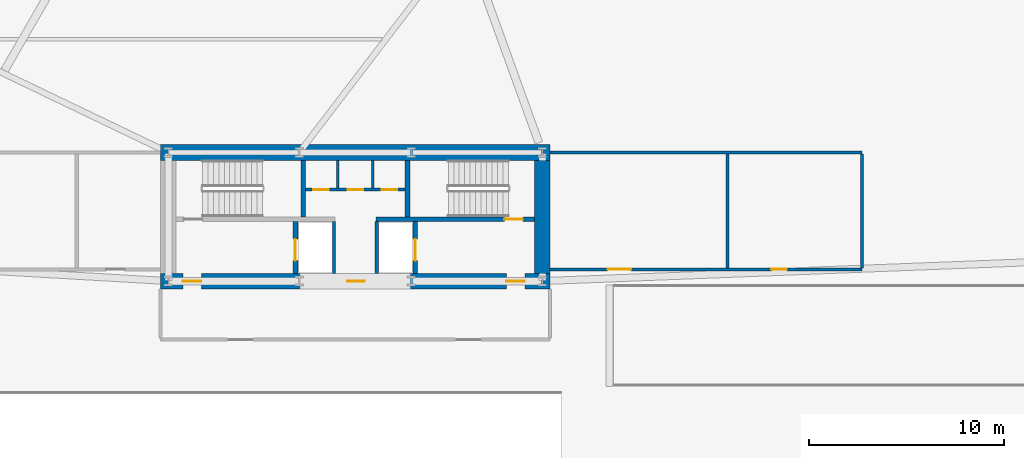
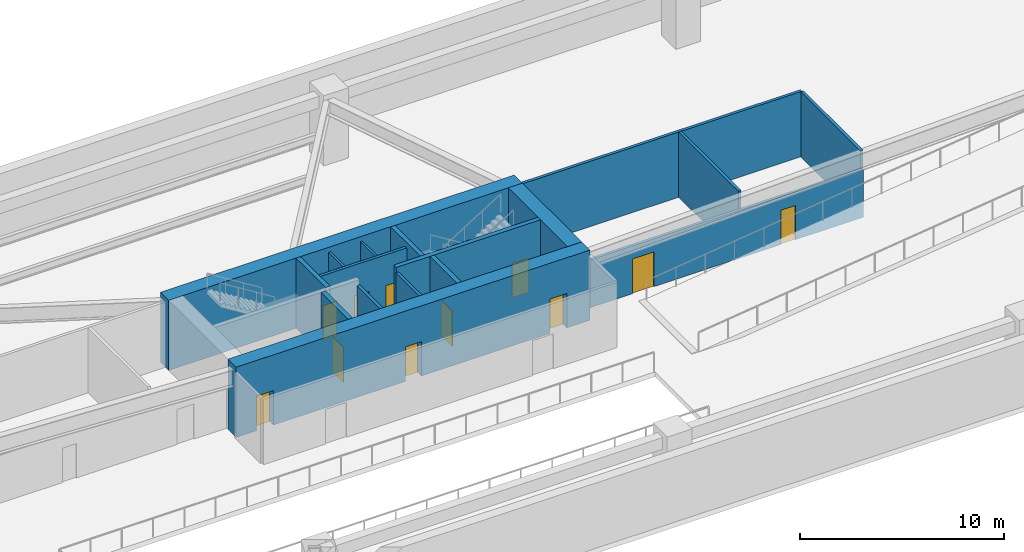
# One storey, part 4 of 7: 17 walls, 11 doors, 11 openings.
"""IFC4 building model written with IfcOpenShell, lengths in metres."""

from ifc_helpers import new_model, si_unit, direction, frame, frame_2d, origin, place, context, subcontext, project, spatial, rectangle, extrude, source, transform, mapped, material, layer, layer_set, type_object, type_shapes, element, fill, save


model = new_model("IFC4")

# Units and contexts
model_context = context("Model", 3, precision=1e-05, world=origin(), true_north=direction((0.0, 1.0)))
body_context = subcontext(model_context, "Body", "Model", "MODEL_VIEW")
ifc_project = project(units=[si_unit("LENGTHUNIT", "METRE"), si_unit("AREAUNIT", "SQUARE_METRE"), si_unit("VOLUMEUNIT", "CUBIC_METRE"), si_unit("PLANEANGLEUNIT", "RADIAN"), si_unit("MASSUNIT", "GRAM", prefix="KILO")], contexts=[model_context])

# Site, building, storey
site_placement = place(None, origin())
site = spatial("IfcSite", under=ifc_project, at=site_placement, CompositionType="ELEMENT")
building_placement = place(site_placement, origin())
building = spatial("IfcBuilding", under=site, at=building_placement, Name="Astriad Promenade Condominiums", CompositionType="ELEMENT")
storey_placement = place(building_placement, frame((0.0, 0.0, -4.199951171875)))
storey = spatial("IfcBuildingStorey", under=building, at=storey_placement, Name="B01", CompositionType="ELEMENT", Elevation=-4.199951171875)

# Wall, openings, doors
ifc_material_1 = material(Name="Concrete C80/95", Category="concrete")
ifc_layer_1 = layer(ifc_material_1, 0.800048828125)
ifc_layer_set_1 = layer_set([ifc_layer_1], Name="Concrete C80/95")
wall_type_1 = type_object("IfcWallType", Name="CW-SHEAR-800", PredefinedType="SHEAR", material=ifc_layer_set_1)
wall_1_placement = place(storey_placement, frame((26.0, 17.39990234375, 0.0), z_axis=(0.0, 0.0, 1.0), x_axis=(1.0, 0.0, 0.0)))
wall_1 = element("IfcWall", 1, at=wall_1_placement, inside=storey, type_object=wall_type_1, Name="CW-CORE-S-B01", PredefinedType="SHEAR", context=body_context, shape_type="SweptSolid", body=[
    extrude(rectangle(XDim=20.0, YDim=0.800048828125, at=frame_2d((10.0, 0.0))), origin(), (0.0, 0.0, 1.0), 4.199951171875),
])
opening_1_placement = place(wall_1_placement, frame((1.14990234375, 0.0, 0.0)))
opening_1 = element("IfcOpeningElement", 2, at=opening_1_placement, cuts=wall_1, Name="Opening FD90-ST-095", PredefinedType="OPENING", context=body_context, shape_type="SweptSolid", body=[
    extrude(rectangle(XDim=0.949951171875, YDim=2.06005859375, at=frame_2d((0.47509765625, 1.030029296875))), frame((0.0, 0.409912109375, 0.0), z_axis=(0.0, -1.0, 0.0), x_axis=(1.0, 0.0, 0.0)), (0.0, 0.0, 1.0), 0.820068359375),
])
opening_2_placement = place(wall_1_placement, frame((9.580078125, 0.0, 0.0)))
opening_2 = element("IfcOpeningElement", 3, at=opening_2_placement, cuts=wall_1, Name="Opening FD60-CSL-090", PredefinedType="OPENING", context=body_context, shape_type="SweptSolid", body=[
    extrude(rectangle(XDim=0.89990234375, YDim=2.06005859375, at=frame_2d((0.449951171875, 1.030029296875))), frame((0.0, 0.409912109375, 0.0), z_axis=(0.0, -1.0, 0.0), x_axis=(1.0, 0.0, 0.0)), (0.0, 0.0, 1.0), 0.820068359375),
])
opening_3_placement = place(wall_1_placement, frame((17.75, 0.0, 0.0)))
opening_3 = element("IfcOpeningElement", 4, at=opening_3_placement, cuts=wall_1, Name="Opening FD90-ST-095", PredefinedType="OPENING", context=body_context, shape_type="SweptSolid", body=[
    extrude(rectangle(XDim=0.949951171875, YDim=2.06005859375, at=frame_2d((0.47509765625, 1.030029296875))), frame((0.0, 0.409912109375, 0.0), z_axis=(0.0, -1.0, 0.0), x_axis=(1.0, 0.0, 0.0)), (0.0, 0.0, 1.0), 0.820068359375),
])
ifc_material_2 = material(Name="Fire-Rated Hollow Metal Stair Door")
door_type_1 = type_object("IfcDoorType", Name="FD90-ST-095", OperationType="NOTDEFINED", PredefinedType="DOOR", material=ifc_material_2)
shared_shape_1 = source(origin(), body_context, "Body", "SweptSolid", [
    extrude(rectangle(XDim=0.949951171875, YDim=2.06005859375, at=frame_2d((0.47509765625, 1.030029296875))), frame((0.0, 0.02490234375, 0.0), z_axis=(0.0, -1.0, 0.0), x_axis=(1.0, 0.0, 0.0)), (0.0, 0.0, 1.0), 0.050048828125),
])
type_shapes(door_type_1, [shared_shape_1])
door_1_placement = place(opening_1_placement, origin())
door_1 = element("IfcDoor", 5, at=door_1_placement, inside=storey, type_object=door_type_1, Name="D-FFW-B01", OperationType="SINGLE_SWING_LEFT", OverallHeight=2.06005859375, OverallWidth=0.949951171875, PredefinedType="DOOR", context=body_context, shape_type="MappedRepresentation", body=[
    mapped(shared_shape_1, transform((0.0, 0.0, 0.0), scale=1.0)),
])
fill(opening_1, door_1)
door_2_placement = place(opening_3_placement, origin())
door_2 = element("IfcDoor", 6, at=door_2_placement, inside=storey, type_object=door_type_1, Name="D-FFE-B01", OperationType="SINGLE_SWING_RIGHT", OverallHeight=2.06005859375, OverallWidth=0.949951171875, PredefinedType="DOOR", context=body_context, shape_type="MappedRepresentation", body=[
    mapped(shared_shape_1, transform((0.0, 0.0, 0.0), scale=1.0)),
])
fill(opening_3, door_2)
ifc_material_3 = material(Name="Fire-Rated Service Lobby Door")
door_type_2 = type_object("IfcDoorType", Name="FD60-CSL-090", OperationType="NOTDEFINED", PredefinedType="DOOR", material=ifc_material_3)
shared_shape_2 = source(origin(), body_context, "Body", "SweptSolid", [
    extrude(rectangle(XDim=0.89990234375, YDim=2.06005859375, at=frame_2d((0.449951171875, 1.030029296875))), frame((0.0, 0.02490234375, 0.0), z_axis=(0.0, -1.0, 0.0), x_axis=(1.0, 0.0, 0.0)), (0.0, 0.0, 1.0), 0.050048828125),
])
type_shapes(door_type_2, [shared_shape_2])
door_3_placement = place(opening_2_placement, origin())
door_3 = element("IfcDoor", 7, at=door_3_placement, inside=storey, type_object=door_type_2, Name="D-CSL-B01", OperationType="SINGLE_SWING_RIGHT", OverallHeight=2.06005859375, OverallWidth=0.89990234375, PredefinedType="DOOR", context=body_context, shape_type="MappedRepresentation", body=[
    mapped(shared_shape_2, transform((0.0, 0.0, 0.0), scale=1.0)),
])
fill(opening_2, door_3)

# Walls
wall_2_placement = place(storey_placement, frame((26.0, 24.0, 0.0), z_axis=(0.0, 0.0, 1.0), x_axis=(1.0, 0.0, 0.0)))
element("IfcWall", 8, at=wall_2_placement, inside=storey, type_object=wall_type_1, Name="CW-CORE-N-B01", PredefinedType="SHEAR", context=body_context, shape_type="SweptSolid", body=[
    extrude(rectangle(XDim=20.0, YDim=0.800048828125, at=frame_2d((10.0, 0.0))), origin(), (0.0, 0.0, 1.0), 4.199951171875),
])
wall_3_placement = place(storey_placement, frame((45.60009765625, 17.802001953125, 0.0), z_axis=(0.0, 0.0, 1.0), x_axis=(0.0, 1.0, 0.0)))
element("IfcWall", 9, at=wall_3_placement, inside=storey, type_object=wall_type_1, Name="CW-CORE-E-B01", PredefinedType="SHEAR", context=body_context, shape_type="SweptSolid", body=[
    extrude(rectangle(XDim=5.7958984375, YDim=0.800048828125, at=frame_2d((2.89794921875, 0.0))), origin(), (0.0, 0.0, 1.0), 4.199951171875),
])

# Wall, opening, door
ifc_material_4 = material(Name="Concrete C50/60", Category="concrete")
ifc_layer_2 = layer(ifc_material_4, 0.25)
ifc_layer_set_2 = layer_set([ifc_layer_2], Name="Concrete C50/60")
wall_type_2 = type_object("IfcWallType", Name="WALL-CORE-INT-250", PredefinedType="SOLIDWALL", material=ifc_layer_set_2)
wall_4_placement = place(storey_placement, frame((37.050048828125, 20.574951171875, 0.0), z_axis=(0.0, 0.0, 1.0), x_axis=(1.0, 0.0, 0.0)))
wall_4 = element("IfcWall", 10, at=wall_4_placement, inside=storey, type_object=wall_type_2, Name="CW-INT-H2-B01", PredefinedType="SOLIDWALL", context=body_context, shape_type="SweptSolid", body=[
    extrude(rectangle(XDim=8.14794921875, YDim=0.25, at=frame_2d((4.073974609375, 0.0))), origin(), (0.0, 0.0, 1.0), 4.199951171875),
])
opening_4_placement = place(wall_4_placement, frame((6.60009765625, 0.0, 0.0)))
opening_4 = element("IfcOpeningElement", 11, at=opening_4_placement, cuts=wall_4, Name="Opening FD90-ST-095", PredefinedType="OPENING", context=body_context, shape_type="SweptSolid", body=[
    extrude(rectangle(XDim=0.949951171875, YDim=2.06005859375, at=frame_2d((0.47509765625, 1.030029296875))), frame((0.0, 0.135009765625, 0.0), z_axis=(0.0, -1.0, 0.0), x_axis=(1.0, 0.0, 0.0)), (0.0, 0.0, 1.0), 0.27001953125),
])
door_4_placement = place(opening_4_placement, origin())
door_4 = element("IfcDoor", 12, at=door_4_placement, inside=storey, type_object=door_type_1, Name="D-ST2-B01", OperationType="SINGLE_SWING_LEFT", OverallHeight=2.06005859375, OverallWidth=0.949951171875, PredefinedType="DOOR", context=body_context, shape_type="MappedRepresentation", body=[
    mapped(shared_shape_1, transform((0.0, 0.0, 0.0), scale=1.0)),
])
fill(opening_4, door_4)

# Walls
for number, where, z_axis, x_axis, name in (
    (13, (33.324951171875, 20.701904296875, 0.0), (0.0, 0.0, 1.0), (0.0, 1.0, 0.0), "CW-ST1-E-B01"),
    (14, (38.675048828125, 20.701904296875, 0.0), (0.0, 0.0, 1.0), (0.0, 1.0, 0.0), "CW-ST2-W-B01"),
):
    element("IfcWall", number, at=place(storey_placement, frame(where, z_axis=z_axis, x_axis=x_axis)), inside=storey, type_object=wall_type_2, Name=name, PredefinedType="SOLIDWALL", context=body_context, shape_type="SweptSolid", body=[
        extrude(rectangle(XDim=2.89599609375, YDim=0.25, at=frame_2d((1.447998046875, 0.0))), origin(), (0.0, 0.0, 1.0), 4.199951171875),
    ])

# Wall, opening, door
wall_5_placement = place(storey_placement, frame((32.925048828125, 17.802001953125, 0.0), z_axis=(0.0, 0.0, 1.0), x_axis=(0.0, 1.0, 0.0)))
wall_5 = element("IfcWall", 15, at=wall_5_placement, inside=storey, type_object=wall_type_2, Name="CW-FFL1-W-B01", PredefinedType="SOLIDWALL", context=body_context, shape_type="SweptSolid", body=[
    extrude(rectangle(XDim=2.64599609375, YDim=0.25, at=frame_2d((1.322998046875, 0.0))), origin(), (0.0, 0.0, 1.0), 4.199951171875),
])
opening_5_placement = place(wall_5_placement, frame((0.64794921875, 0.0, 0.0)))
opening_5 = element("IfcOpeningElement", 16, at=opening_5_placement, cuts=wall_5, Name="Opening LD-FFL-1122", PredefinedType="OPENING", context=body_context, shape_type="SweptSolid", body=[
    extrude(rectangle(XDim=1.10009765625, YDim=2.080078125, at=frame_2d((0.550048828125, 1.0400390625))), frame((0.0, 0.135009765625, 0.0), z_axis=(0.0, -1.0, 0.0), x_axis=(1.0, 0.0, 0.0)), (0.0, 0.0, 1.0), 0.27001953125),
])
ifc_material_5 = material(Name="Brushed Stainless Steel Fire Elevator Landing Door", Category="steel")
door_type_3 = type_object("IfcDoorType", Name="LD-FFL-1122", OperationType="NOTDEFINED", PredefinedType="DOOR", material=ifc_material_5)
shared_shape_3 = source(origin(), body_context, "Body", "SweptSolid", [
    extrude(rectangle(XDim=1.10009765625, YDim=2.080078125, at=frame_2d((0.550048828125, 1.0400390625))), frame((0.0, 0.02490234375, 0.0), z_axis=(0.0, -1.0, 0.0), x_axis=(1.0, 0.0, 0.0)), (0.0, 0.0, 1.0), 0.050048828125),
])
type_shapes(door_type_3, [shared_shape_3])
door_5_placement = place(opening_5_placement, origin())
door_5 = element("IfcDoor", 17, at=door_5_placement, inside=storey, type_object=door_type_3, Name="Elevator Landing Door FFL-1 (B01)", OperationType="SLIDING_TO_LEFT", OverallHeight=2.080078125, OverallWidth=1.10009765625, PredefinedType="DOOR", context=body_context, shape_type="MappedRepresentation", body=[
    mapped(shared_shape_3, transform((0.0, 0.0, 0.0), scale=1.0)),
])
fill(opening_5, door_5)

wall_6_placement = place(storey_placement, frame((39.074951171875, 17.802001953125, 0.0), z_axis=(0.0, 0.0, 1.0), x_axis=(0.0, 1.0, 0.0)))
wall_6 = element("IfcWall", 18, at=wall_6_placement, inside=storey, type_object=wall_type_2, Name="CW-FFL2-E-B01", PredefinedType="SOLIDWALL", context=body_context, shape_type="SweptSolid", body=[
    extrude(rectangle(XDim=2.64599609375, YDim=0.25, at=frame_2d((1.322998046875, 0.0))), origin(), (0.0, 0.0, 1.0), 4.199951171875),
])
opening_6_placement = place(wall_6_placement, frame((0.64794921875, 0.0, 0.0)))
opening_6 = element("IfcOpeningElement", 19, at=opening_6_placement, cuts=wall_6, Name="Opening LD-FFL-1122", PredefinedType="OPENING", context=body_context, shape_type="SweptSolid", body=[
    extrude(rectangle(XDim=1.10009765625, YDim=2.080078125, at=frame_2d((0.550048828125, 1.0400390625))), frame((0.0, 0.135009765625, 0.0), z_axis=(0.0, -1.0, 0.0), x_axis=(1.0, 0.0, 0.0)), (0.0, 0.0, 1.0), 0.27001953125),
])
door_6_placement = place(opening_6_placement, origin())
door_6 = element("IfcDoor", 20, at=door_6_placement, inside=storey, type_object=door_type_3, Name="Elevator Landing Door FFL-2 (B01)", OperationType="SLIDING_TO_RIGHT", OverallHeight=2.080078125, OverallWidth=1.10009765625, PredefinedType="DOOR", context=body_context, shape_type="MappedRepresentation", body=[
    mapped(shared_shape_3, transform((0.0, 0.0, 0.0), scale=1.0)),
])
fill(opening_6, door_6)

# Walls
ifc_material_6 = material(Name="Fire-Rated Gypsum Partition")
ifc_layer_3 = layer(ifc_material_6, 0.159912109375)
ifc_layer_set_3 = layer_set([ifc_layer_3], Name="Fire-Rated Gypsum Partition")
wall_type_3 = type_object("IfcWallType", Name="WALL-CORR-160", PredefinedType="PARTITIONING", material=ifc_layer_set_3)
for number, where, z_axis, x_axis, name in (
    (21, (34.89990234375, 17.802001953125, 0.0), (0.0, 0.0, 1.0), (0.0, 1.0, 0.0), "CW-FFL1-E-B01"),
    (22, (37.10009765625, 17.802001953125, 0.0), (0.0, 0.0, 1.0), (0.0, 1.0, 0.0), "CW-FFL2-W-B01"),
):
    element("IfcWall", number, at=place(storey_placement, frame(where, z_axis=z_axis, x_axis=x_axis)), inside=storey, type_object=wall_type_3, Name=name, PredefinedType="PARTITIONING", context=body_context, shape_type="SweptSolid", body=[
        extrude(rectangle(XDim=2.64599609375, YDim=0.159912109375, at=frame_2d((1.322998046875, 0.0))), origin(), (0.0, 0.0, 1.0), 3.89990234375),
    ])

# Wall, openings, doors
wall_7_placement = place(storey_placement, frame((33.451904296875, 22.10009765625, 0.0), z_axis=(0.0, 0.0, 1.0), x_axis=(1.0, 0.0, 0.0)))
wall_7 = element("IfcWall", 23, at=wall_7_placement, inside=storey, type_object=wall_type_3, Name="CW-AUX-N-B01", PredefinedType="PARTITIONING", context=body_context, shape_type="SweptSolid", body=[
    extrude(rectangle(XDim=5.09619140625, YDim=0.159912109375, at=frame_2d((2.548095703125, 0.0))), origin(), (0.0, 0.0, 1.0), 3.89990234375),
])
opening_7_placement = place(wall_7_placement, frame((0.387939453125, 0.0, 0.0)))
opening_7 = element("IfcOpeningElement", 24, at=opening_7_placement, cuts=wall_7, Name="Opening FD60-SV-080", PredefinedType="OPENING", context=body_context, shape_type="SweptSolid", body=[
    extrude(rectangle(XDim=0.800048828125, YDim=2.050048828125, at=frame_2d((0.39990234375, 1.02490234375))), frame((0.0, 0.08984375, 0.0), z_axis=(0.0, -1.0, 0.0), x_axis=(1.0, 0.0, 0.0)), (0.0, 0.0, 1.0), 0.179931640625),
])
opening_8_placement = place(wall_7_placement, frame((2.14794921875, 0.0, 0.0)))
opening_8 = element("IfcOpeningElement", 25, at=opening_8_placement, cuts=wall_7, Name="Opening FD60-SV-080", PredefinedType="OPENING", context=body_context, shape_type="SweptSolid", body=[
    extrude(rectangle(XDim=0.800048828125, YDim=2.050048828125, at=frame_2d((0.39990234375, 1.02490234375))), frame((0.0, 0.08984375, 0.0), z_axis=(0.0, -1.0, 0.0), x_axis=(1.0, 0.0, 0.0)), (0.0, 0.0, 1.0), 0.179931640625),
])
opening_9_placement = place(wall_7_placement, frame((3.907958984375, 0.0, 0.0)))
opening_9 = element("IfcOpeningElement", 26, at=opening_9_placement, cuts=wall_7, Name="Opening FD60-SV-080", PredefinedType="OPENING", context=body_context, shape_type="SweptSolid", body=[
    extrude(rectangle(XDim=0.800048828125, YDim=2.050048828125, at=frame_2d((0.39990234375, 1.02490234375))), frame((0.0, 0.08984375, 0.0), z_axis=(0.0, -1.0, 0.0), x_axis=(1.0, 0.0, 0.0)), (0.0, 0.0, 1.0), 0.179931640625),
])
ifc_material_7 = material(Name="Fire-Rated Riser Closet Door")
door_type_4 = type_object("IfcDoorType", Name="FD60-SV-080", OperationType="NOTDEFINED", PredefinedType="DOOR", material=ifc_material_7)
shared_shape_4 = source(origin(), body_context, "Body", "SweptSolid", [
    extrude(rectangle(XDim=0.800048828125, YDim=2.050048828125, at=frame_2d((0.39990234375, 1.02490234375))), frame((0.0, 0.02490234375, 0.0), z_axis=(0.0, -1.0, 0.0), x_axis=(1.0, 0.0, 0.0)), (0.0, 0.0, 1.0), 0.050048828125),
])
type_shapes(door_type_4, [shared_shape_4])
door_7_placement = place(opening_7_placement, origin())
door_7 = element("IfcDoor", 27, at=door_7_placement, inside=storey, type_object=door_type_4, Name="D-AUX1-B01", OperationType="SINGLE_SWING_RIGHT", OverallHeight=2.050048828125, OverallWidth=0.800048828125, PredefinedType="DOOR", context=body_context, shape_type="MappedRepresentation", body=[
    mapped(shared_shape_4, transform((0.0, 0.0, 0.0), scale=1.0)),
])
fill(opening_7, door_7)
door_8_placement = place(opening_8_placement, origin())
door_8 = element("IfcDoor", 28, at=door_8_placement, inside=storey, type_object=door_type_4, Name="D-AUX2-B01", OperationType="SINGLE_SWING_LEFT", OverallHeight=2.050048828125, OverallWidth=0.800048828125, PredefinedType="DOOR", context=body_context, shape_type="MappedRepresentation", body=[
    mapped(shared_shape_4, transform((0.0, 0.0, 0.0), scale=1.0)),
])
fill(opening_8, door_8)
door_9_placement = place(opening_9_placement, origin())
door_9 = element("IfcDoor", 29, at=door_9_placement, inside=storey, type_object=door_type_4, Name="D-AUX3-B01", OperationType="SINGLE_SWING_RIGHT", OverallHeight=2.050048828125, OverallWidth=0.800048828125, PredefinedType="DOOR", context=body_context, shape_type="MappedRepresentation", body=[
    mapped(shared_shape_4, transform((0.0, 0.0, 0.0), scale=1.0)),
])
fill(opening_9, door_9)

wall_8_placement = place(storey_placement, frame((46.001953125, 18.0, 0.0), z_axis=(0.0, 0.0, 1.0), x_axis=(1.0, 0.0, 0.0)))
wall_8 = element("IfcWall", 30, at=wall_8_placement, inside=storey, type_object=wall_type_3, Name="PT-B01-PL-S", PredefinedType="PARTITIONING", context=body_context, shape_type="SweptSolid", body=[
    extrude(rectangle(XDim=15.998046875, YDim=0.159912109375, at=frame_2d((7.9990234375, 0.0))), origin(), (0.0, 0.0, 1.0), 2.856201171875),
])
opening_10_placement = place(wall_8_placement, frame((2.947998046875, 0.0, 0.0)))
opening_10 = element("IfcOpeningElement", 31, at=opening_10_placement, cuts=wall_8, Name="Opening FD90-PLT-1222", PredefinedType="OPENING", context=body_context, shape_type="SweptSolid", body=[
    extrude(rectangle(XDim=1.199951171875, YDim=2.080078125, at=frame_2d((0.60009765625, 1.0400390625))), frame((0.0, 0.08984375, 0.0), z_axis=(0.0, -1.0, 0.0), x_axis=(1.0, 0.0, 0.0)), (0.0, 0.0, 1.0), 0.179931640625),
])
opening_11_placement = place(wall_8_placement, frame((11.347900390625, 0.0, 0.0)))
opening_11 = element("IfcOpeningElement", 32, at=opening_11_placement, cuts=wall_8, Name="Opening FD60-SV-080", PredefinedType="OPENING", context=body_context, shape_type="SweptSolid", body=[
    extrude(rectangle(XDim=0.800048828125, YDim=2.050048828125, at=frame_2d((0.39990234375, 1.02490234375))), frame((0.0, 0.08984375, 0.0), z_axis=(0.0, -1.0, 0.0), x_axis=(1.0, 0.0, 0.0)), (0.0, 0.0, 1.0), 0.179931640625),
])
door_10_placement = place(opening_11_placement, origin())
door_10 = element("IfcDoor", 33, at=door_10_placement, inside=storey, type_object=door_type_4, Name="D-B01-PL2", OperationType="SINGLE_SWING_RIGHT", OverallHeight=2.050048828125, OverallWidth=0.800048828125, PredefinedType="DOOR", context=body_context, shape_type="MappedRepresentation", body=[
    mapped(shared_shape_4, transform((0.0, 0.0, 0.0), scale=1.0)),
])
fill(opening_11, door_10)
ifc_material_8 = material(Name="Fire-Rated Double-Insulated Plant Door")
door_type_5 = type_object("IfcDoorType", Name="FD90-PLT-1222", OperationType="NOTDEFINED", PredefinedType="DOOR", material=ifc_material_8)
shared_shape_5 = source(origin(), body_context, "Body", "SweptSolid", [
    extrude(rectangle(XDim=1.199951171875, YDim=2.080078125, at=frame_2d((0.60009765625, 1.0400390625))), frame((0.0, 0.02490234375, 0.0), z_axis=(0.0, -1.0, 0.0), x_axis=(1.0, 0.0, 0.0)), (0.0, 0.0, 1.0), 0.050048828125),
])
type_shapes(door_type_5, [shared_shape_5])
door_11_placement = place(opening_10_placement, origin())
door_11 = element("IfcDoor", 34, at=door_11_placement, inside=storey, type_object=door_type_5, Name="D-B01-PL1", OperationType="SINGLE_SWING_LEFT", OverallHeight=2.080078125, OverallWidth=1.199951171875, PredefinedType="DOOR", context=body_context, shape_type="MappedRepresentation", body=[
    mapped(shared_shape_5, transform((0.0, 0.0, 0.0), scale=1.0)),
])
fill(opening_10, door_11)

# Walls
wall_9_placement = place(storey_placement, frame((46.0, 24.0, 0.0), z_axis=(0.0, 0.0, 1.0), x_axis=(1.0, 0.0, 0.0)))
element("IfcWall", 35, at=wall_9_placement, inside=storey, type_object=wall_type_3, Name="PT-B01-PL-N", PredefinedType="PARTITIONING", context=body_context, shape_type="SweptSolid", body=[
    extrude(rectangle(XDim=16.0, YDim=0.159912109375, at=frame_2d((8.0, 0.0))), origin(), (0.0, 0.0, 1.0), 3.89990234375),
])
for number, where, z_axis, x_axis, name in (
    (36, (62.0, 18.08203125, 0.0), (0.0, 0.0, 1.0), (0.0, 1.0, 0.0), "PT-B01-PL-E"),
    (37, (55.10009765625, 18.08203125, 0.0), (0.0, 0.0, 1.0), (0.0, 1.0, 0.0), "PT-B01-PL-M"),
):
    element("IfcWall", number, at=place(storey_placement, frame(where, z_axis=z_axis, x_axis=x_axis)), inside=storey, type_object=wall_type_3, Name=name, PredefinedType="PARTITIONING", context=body_context, shape_type="SweptSolid", body=[
        extrude(rectangle(XDim=5.8359375, YDim=0.159912109375, at=frame_2d((2.91796875, 0.0))), origin(), (0.0, 0.0, 1.0), 3.89990234375),
    ])
ifc_material_9 = material(Name="Acoustic Metal-Stud Gypsum Partition")
ifc_layer_4 = layer(ifc_material_9, 0.1201171875)
ifc_layer_set_4 = layer_set([ifc_layer_4], Name="Acoustic Metal-Stud Gypsum Partition")
wall_type_4 = type_object("IfcWallType", Name="WALL-PART-120", PredefinedType="PARTITIONING", material=ifc_layer_set_4)
for number, where, z_axis, x_axis, name in (
    (38, (35.10009765625, 22.181884765625, 0.0), (0.0, 0.0, 1.0), (0.0, 1.0, 0.0), "CW-AUX-V1-B01"),
    (39, (36.89990234375, 22.181884765625, 0.0), (0.0, 0.0, 1.0), (0.0, 1.0, 0.0), "CW-AUX-V2-B01"),
):
    element("IfcWall", number, at=place(storey_placement, frame(where, z_axis=z_axis, x_axis=x_axis)), inside=storey, type_object=wall_type_4, Name=name, PredefinedType="PARTITIONING", context=body_context, shape_type="SweptSolid", body=[
        extrude(rectangle(XDim=1.416015625, YDim=0.1201171875, at=frame_2d((0.7080078125, 0.0))), origin(), (0.0, 0.0, 1.0), 3.89990234375),
    ])

save(model, "model.ifc")
